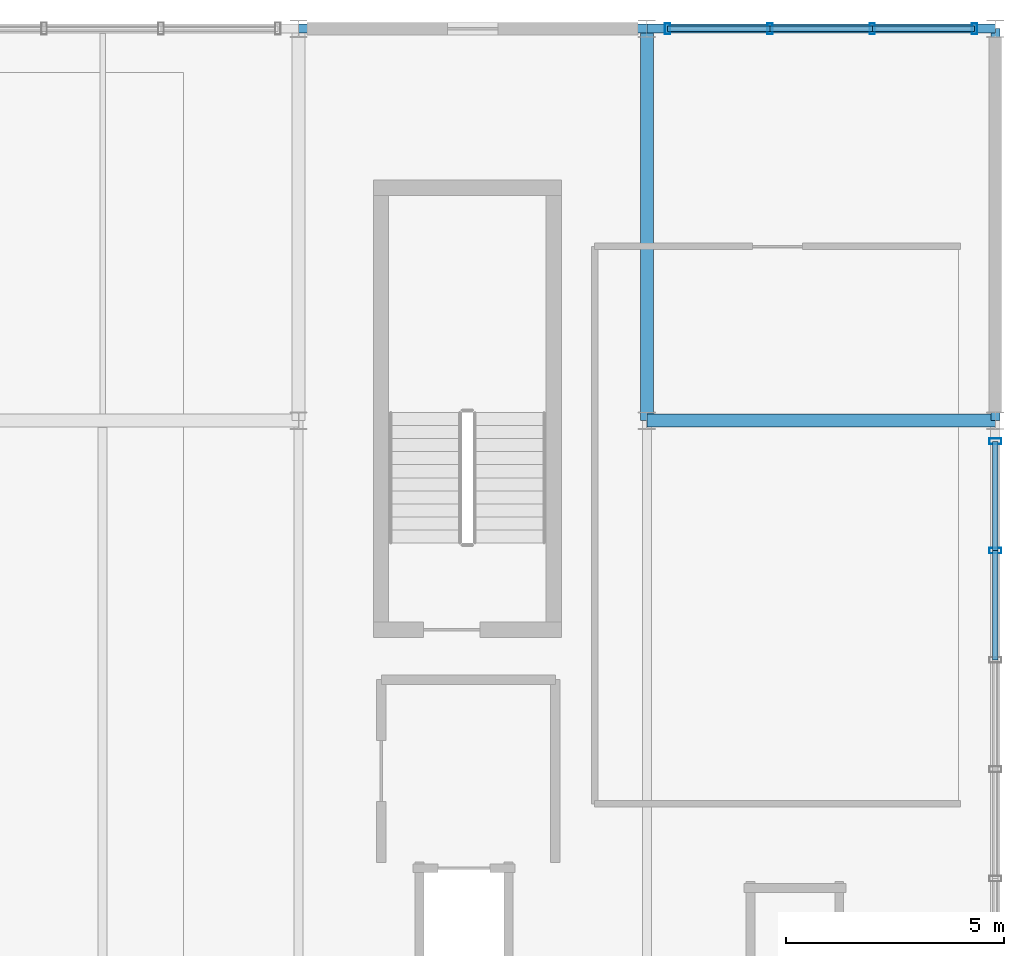
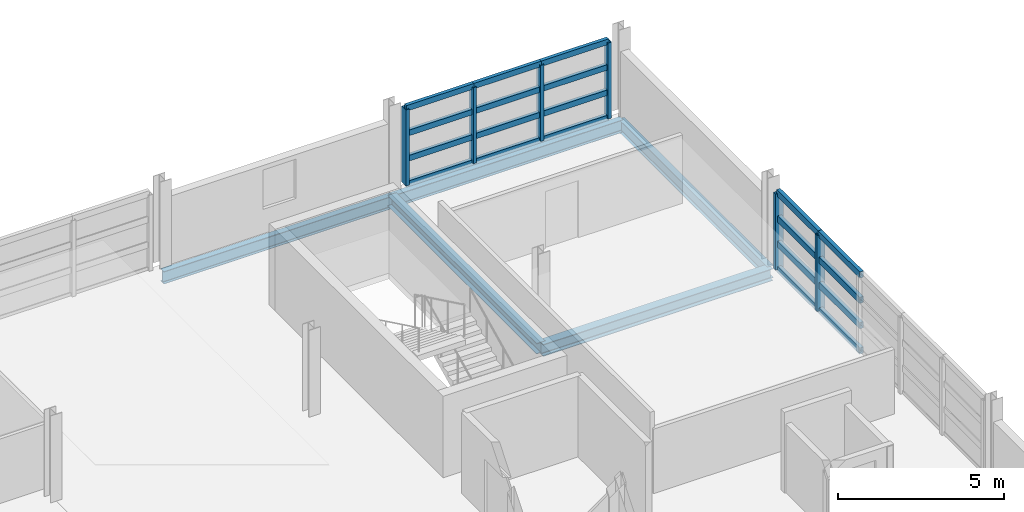
# One storey, part 55 of 86: 26 members, 5 beams, 2 elements without a shape of their own.
"""IFC4 building model written with IfcOpenShell, lengths in metres."""

from ifc_helpers import new_model, si_unit, direction, frame, origin, origin_2d, place, context, subcontext, project, spatial, hollow_rectangle, i_section, extrude, material, material_profile, profile_set, type_object, element, aggregate, save


model = new_model("IFC4")

# Units and contexts
model_context = context("Model", 3, precision=1e-05, world=origin(), true_north=direction((0.0, 1.0)))
body_context = subcontext(model_context, "Body", "Model", "MODEL_VIEW")
ifc_project = project(units=[si_unit("LENGTHUNIT", "METRE"), si_unit("AREAUNIT", "SQUARE_METRE"), si_unit("VOLUMEUNIT", "CUBIC_METRE"), si_unit("PLANEANGLEUNIT", "RADIAN"), si_unit("MASSUNIT", "GRAM", prefix="KILO")], contexts=[model_context])

# Site, building, storey
site_placement = place(None, origin())
site = spatial("IfcSite", under=ifc_project, at=site_placement, CompositionType="ELEMENT")
building_placement = place(site_placement, origin())
building = spatial("IfcBuilding", under=site, at=building_placement, Name="Chuanluo Vaults Station", CompositionType="ELEMENT")
storey_placement = place(building_placement, frame((0.0, 0.0, 14.39990234375)))
storey = spatial("IfcBuildingStorey", under=building, at=storey_placement, Name="L03", CompositionType="ELEMENT", Elevation=14.39990234375)

# Beams
ifc_material_1 = material(Name="Steel Q355C", Category="steel")
ifc_material_profile_1 = material_profile(ifc_material_1, i_section(OverallWidth=0.300048828125, OverallDepth=0.389892578125, WebThickness=0.010009765625, FlangeThickness=0.01611328125, FilletRadius=0.02001953125, at=origin_2d()))
ifc_profile_set_1 = profile_set([ifc_material_profile_1], Name="Steel Q355C")
beam_type_1 = type_object("IfcBeamType", Name="BM-GRD-400", PredefinedType="BEAM", material=ifc_profile_set_1)
beam_1_placement = place(storey_placement, frame((180.0, 117.0, -0.414794921875), z_axis=(0.0, 1.0, 0.0), x_axis=(-1.0, 0.0, 0.0)))
element("IfcBeam", 1, at=beam_1_placement, inside=storey, type_object=beam_type_1, Name="Floor girder BM:GY:L03:0833", PredefinedType="BEAM", context=body_context, shape_type="SweptSolid", body=[
    extrude(i_section(OverallWidth=0.300048828125, OverallDepth=0.389892578125, WebThickness=0.010009765625, FlangeThickness=0.01611328125, FilletRadius=0.02001953125, at=origin_2d()), origin(), (0.0, 0.0, 1.0), 9.0),
])
ifc_material_2 = material(Name="Steel Q355C", Category="steel")
ifc_material_profile_2 = material_profile(ifc_material_2, i_section(OverallWidth=0.300048828125, OverallDepth=0.43994140625, WebThickness=0.010986328125, FlangeThickness=0.01806640625, FilletRadius=0.02001953125, at=origin_2d()))
ifc_profile_set_2 = profile_set([ifc_material_profile_2], Name="Steel Q355C")
beam_type_2 = type_object("IfcBeamType", Name="BM-GRD-450", PredefinedType="USERDEFINED", material=ifc_profile_set_2)
beam_2_placement = place(storey_placement, frame((180.0, 117.0, -0.43994140625), z_axis=(1.0, 0.0, 0.0), x_axis=(0.0, 1.0, 0.0)))
element("IfcBeam", 2, at=beam_2_placement, inside=storey, type_object=beam_type_2, Name="Floor girder BM:GX:L03:0767", ObjectType="GIRDER", PredefinedType="USERDEFINED", context=body_context, shape_type="SweptSolid", body=[
    extrude(i_section(OverallWidth=0.300048828125, OverallDepth=0.43994140625, WebThickness=0.010986328125, FlangeThickness=0.01806640625, FilletRadius=0.02001953125, at=origin_2d()), origin(), (0.0, 0.0, 1.0), 8.0),
])
ifc_material_3 = material(Name="Steel Q355C", Category="steel")
ifc_material_profile_3 = material_profile(ifc_material_3, i_section(OverallWidth=0.205078125, OverallDepth=0.4599609375, WebThickness=0.009033203125, FlangeThickness=0.013916015625, FilletRadius=0.01611328125, at=origin_2d()))
ifc_profile_set_3 = profile_set([ifc_material_profile_3], Name="Steel Q355C")
beam_type_3 = type_object("IfcBeamType", Name="BM-SPN-450", PredefinedType="SPANDREL", material=ifc_profile_set_3)
for number, where, z_axis, x_axis, name in (
    (3, (172.0, 126.0, -0.449951171875), (1.0, 0.0, 0.0), (0.0, 1.0, 0.0), "Floor girder BM:GX:L03:0774"),
    (4, (180.0, 126.0, -0.449951171875), (1.0, 0.0, 0.0), (0.0, 1.0, 0.0), "Floor girder BM:GX:L03:0775"),
):
    element("IfcBeam", number, at=place(storey_placement, frame(where, z_axis=z_axis, x_axis=x_axis)), inside=storey, type_object=beam_type_3, Name=name, PredefinedType="SPANDREL", context=body_context, shape_type="SweptSolid", body=[
        extrude(i_section(OverallWidth=0.205078125, OverallDepth=0.4599609375, WebThickness=0.009033203125, FlangeThickness=0.013916015625, FilletRadius=0.01611328125, at=origin_2d()), origin(), (0.0, 0.0, 1.0), 8.0),
    ])
beam_3_placement = place(storey_placement, frame((188.0, 117.0, -0.449951171875), z_axis=(0.0, 1.0, 0.0), x_axis=(-1.0, 0.0, 0.0)))
element("IfcBeam", 5, at=beam_3_placement, inside=storey, type_object=beam_type_3, Name="Floor girder BM:GY:L03:0839", PredefinedType="SPANDREL", context=body_context, shape_type="SweptSolid", body=[
    extrude(i_section(OverallWidth=0.205078125, OverallDepth=0.4599609375, WebThickness=0.009033203125, FlangeThickness=0.013916015625, FilletRadius=0.01611328125, at=origin_2d()), origin(), (0.0, 0.0, 1.0), 9.0),
])

# Curtain wall, members
ifc_material_4 = material(Name="Anodised aluminium 6063-T6", Category="aluminium")
curtain_wall_type_1 = type_object("IfcCurtainWallType", Name="CW-SYS-07", PredefinedType="NOTDEFINED", material=ifc_material_4)
curtain_wall_1_placement = place(storey_placement, origin())
curtain_wall_1 = element("IfcCurtainWall", 6, at=curtain_wall_1_placement, inside=storey, type_object=curtain_wall_type_1, Name="Operations L03 facade CW", PredefinedType="NOTDEFINED")
ifc_material_5 = material(Name="Anodised aluminium 6063-T6", Category="aluminium")
ifc_material_profile_4 = material_profile(ifc_material_5, hollow_rectangle(XDim=0.1201171875, YDim=0.25, WallThickness=0.006103515625, at=origin_2d()))
ifc_profile_set_4 = profile_set([ifc_material_profile_4], Name="Anodised aluminium 6063-T6")
member_type_1 = type_object("IfcMemberType", Name="CWM-160", PredefinedType="MULLION", material=ifc_profile_set_4)
member_1_placement = place(storey_placement, frame((180.47509765625, 126.0, 0.0), z_axis=(0.0, 0.0, 1.0), x_axis=(1.0, 0.0, 0.0)))
member_1 = element("IfcMember", 7, at=member_1_placement, type_object=member_type_1, Name="Operations L03 facade CW mullion 1", PredefinedType="MULLION", context=body_context, shape_type="SweptSolid", body=[
    extrude(hollow_rectangle(XDim=0.1201171875, YDim=0.25, WallThickness=0.006103515625, at=origin_2d()), origin(), (0.0, 0.0, 1.0), 2.800048828125),
])
member_2_placement = place(storey_placement, frame((182.824951171875, 126.0, 0.0), z_axis=(0.0, 0.0, 1.0), x_axis=(1.0, 0.0, 0.0)))
member_2 = element("IfcMember", 8, at=member_2_placement, type_object=member_type_1, Name="Operations L03 facade CW mullion 2", PredefinedType="MULLION", context=body_context, shape_type="SweptSolid", body=[
    extrude(hollow_rectangle(XDim=0.1201171875, YDim=0.25, WallThickness=0.006103515625, at=origin_2d()), origin(), (0.0, 0.0, 1.0), 2.800048828125),
])
member_3_placement = place(storey_placement, frame((185.175048828125, 126.0, 0.0), z_axis=(0.0, 0.0, 1.0), x_axis=(1.0, 0.0, 0.0)))
member_3 = element("IfcMember", 9, at=member_3_placement, type_object=member_type_1, Name="Operations L03 facade CW mullion 3", PredefinedType="MULLION", context=body_context, shape_type="SweptSolid", body=[
    extrude(hollow_rectangle(XDim=0.1201171875, YDim=0.25, WallThickness=0.006103515625, at=origin_2d()), origin(), (0.0, 0.0, 1.0), 2.800048828125),
])
member_4_placement = place(storey_placement, frame((187.52490234375, 126.0, 0.0), z_axis=(0.0, 0.0, 1.0), x_axis=(1.0, 0.0, 0.0)))
member_4 = element("IfcMember", 10, at=member_4_placement, type_object=member_type_1, Name="Operations L03 facade CW mullion 4", PredefinedType="MULLION", context=body_context, shape_type="SweptSolid", body=[
    extrude(hollow_rectangle(XDim=0.1201171875, YDim=0.25, WallThickness=0.006103515625, at=origin_2d()), origin(), (0.0, 0.0, 1.0), 2.800048828125),
])

ifc_material_6 = material(Name="Anodised aluminium 6063-T6", Category="aluminium")
curtain_wall_type_2 = type_object("IfcCurtainWallType", Name="CW-SYS-10", PredefinedType="NOTDEFINED", material=ifc_material_6)
curtain_wall_2_placement = place(storey_placement, origin())
curtain_wall_2 = element("IfcCurtainWall", 11, at=curtain_wall_2_placement, inside=storey, type_object=curtain_wall_type_2, Name="Operations L03 facade CW", PredefinedType="NOTDEFINED")
ifc_material_7 = material(Name="Anodised aluminium 6063-T6", Category="aluminium")
ifc_material_profile_5 = material_profile(ifc_material_7, hollow_rectangle(XDim=0.1298828125, YDim=0.280029296875, WallThickness=0.007080078125, at=origin_2d()))
ifc_profile_set_5 = profile_set([ifc_material_profile_5], Name="Anodised aluminium 6063-T6")
member_type_2 = type_object("IfcMemberType", Name="CWM-180", PredefinedType="MULLION", material=ifc_profile_set_5)
member_5_placement = place(storey_placement, frame((188.0, 116.52490234375, 0.0), z_axis=(0.0, 0.0, 1.0), x_axis=(0.0, -1.0, 0.0)))
member_5 = element("IfcMember", 12, at=member_5_placement, type_object=member_type_2, Name="Operations L03 facade CW mullion 1", PredefinedType="MULLION", context=body_context, shape_type="SweptSolid", body=[
    extrude(hollow_rectangle(XDim=0.1298828125, YDim=0.280029296875, WallThickness=0.007080078125, at=origin_2d()), origin(), (0.0, 0.0, 1.0), 2.800048828125),
])
member_6_placement = place(storey_placement, frame((188.0, 114.014892578125, 0.0), z_axis=(0.0, 0.0, 1.0), x_axis=(0.0, -1.0, 0.0)))
member_6 = element("IfcMember", 13, at=member_6_placement, type_object=member_type_2, Name="Operations L03 facade CW mullion 2", PredefinedType="MULLION", context=body_context, shape_type="SweptSolid", body=[
    extrude(hollow_rectangle(XDim=0.1298828125, YDim=0.280029296875, WallThickness=0.007080078125, at=origin_2d()), origin(), (0.0, 0.0, 1.0), 2.800048828125),
])

# Member
ifc_material_8 = material(Name="Anodised aluminium 6063-T6", Category="aluminium")
ifc_material_profile_6 = material_profile(ifc_material_8, hollow_rectangle(XDim=0.1201171875, YDim=0.205078125, WallThickness=0.006103515625, at=origin_2d()))
ifc_profile_set_6 = profile_set([ifc_material_profile_6], Name="Anodised aluminium 6063-T6")
member_type_3 = type_object("IfcMemberType", Name="CWT-130", PredefinedType="USERDEFINED", material=ifc_profile_set_6)
member_7_placement = place(storey_placement, frame((180.47509765625, 126.0, 0.0), z_axis=(1.0, 0.0, 0.0), x_axis=(0.0, 1.0, 0.0)))
member_7 = element("IfcMember", 14, at=member_7_placement, type_object=member_type_3, Name="Operations L03 facade CW transom 1.1", ObjectType="TRANSOM", PredefinedType="USERDEFINED", context=body_context, shape_type="SweptSolid", body=[
    extrude(hollow_rectangle(XDim=0.1201171875, YDim=0.205078125, WallThickness=0.006103515625, at=origin_2d()), origin(), (0.0, 0.0, 1.0), 2.349853515625),
])

member_8_placement = place(storey_placement, frame((180.47509765625, 126.0, 0.933349609375), z_axis=(1.0, 0.0, 0.0), x_axis=(0.0, 1.0, 0.0)))
member_8 = element("IfcMember", 15, at=member_8_placement, type_object=member_type_3, Name="Operations L03 facade CW transom 1.2", ObjectType="TRANSOM", PredefinedType="USERDEFINED", context=body_context, shape_type="SweptSolid", body=[
    extrude(hollow_rectangle(XDim=0.1201171875, YDim=0.205078125, WallThickness=0.006103515625, at=origin_2d()), origin(), (0.0, 0.0, 1.0), 2.349853515625),
])

member_9_placement = place(storey_placement, frame((180.47509765625, 126.0, 1.86669921875), z_axis=(1.0, 0.0, 0.0), x_axis=(0.0, 1.0, 0.0)))
member_9 = element("IfcMember", 16, at=member_9_placement, type_object=member_type_3, Name="Operations L03 facade CW transom 1.3", ObjectType="TRANSOM", PredefinedType="USERDEFINED", context=body_context, shape_type="SweptSolid", body=[
    extrude(hollow_rectangle(XDim=0.1201171875, YDim=0.205078125, WallThickness=0.006103515625, at=origin_2d()), origin(), (0.0, 0.0, 1.0), 2.349853515625),
])

member_10_placement = place(storey_placement, frame((180.47509765625, 126.0, 2.800048828125), z_axis=(1.0, 0.0, 0.0), x_axis=(0.0, 1.0, 0.0)))
member_10 = element("IfcMember", 17, at=member_10_placement, type_object=member_type_3, Name="Operations L03 facade CW transom 1.4", ObjectType="TRANSOM", PredefinedType="USERDEFINED", context=body_context, shape_type="SweptSolid", body=[
    extrude(hollow_rectangle(XDim=0.1201171875, YDim=0.205078125, WallThickness=0.006103515625, at=origin_2d()), origin(), (0.0, 0.0, 1.0), 2.349853515625),
])

member_11_placement = place(storey_placement, frame((182.824951171875, 126.0, 0.0), z_axis=(1.0, 0.0, 0.0), x_axis=(0.0, 1.0, 0.0)))
member_11 = element("IfcMember", 18, at=member_11_placement, type_object=member_type_3, Name="Operations L03 facade CW transom 2.1", ObjectType="TRANSOM", PredefinedType="USERDEFINED", context=body_context, shape_type="SweptSolid", body=[
    extrude(hollow_rectangle(XDim=0.1201171875, YDim=0.205078125, WallThickness=0.006103515625, at=origin_2d()), origin(), (0.0, 0.0, 1.0), 2.35009765625),
])

member_12_placement = place(storey_placement, frame((182.824951171875, 126.0, 0.933349609375), z_axis=(1.0, 0.0, 0.0), x_axis=(0.0, 1.0, 0.0)))
member_12 = element("IfcMember", 19, at=member_12_placement, type_object=member_type_3, Name="Operations L03 facade CW transom 2.2", ObjectType="TRANSOM", PredefinedType="USERDEFINED", context=body_context, shape_type="SweptSolid", body=[
    extrude(hollow_rectangle(XDim=0.1201171875, YDim=0.205078125, WallThickness=0.006103515625, at=origin_2d()), origin(), (0.0, 0.0, 1.0), 2.35009765625),
])

member_13_placement = place(storey_placement, frame((182.824951171875, 126.0, 1.86669921875), z_axis=(1.0, 0.0, 0.0), x_axis=(0.0, 1.0, 0.0)))
member_13 = element("IfcMember", 20, at=member_13_placement, type_object=member_type_3, Name="Operations L03 facade CW transom 2.3", ObjectType="TRANSOM", PredefinedType="USERDEFINED", context=body_context, shape_type="SweptSolid", body=[
    extrude(hollow_rectangle(XDim=0.1201171875, YDim=0.205078125, WallThickness=0.006103515625, at=origin_2d()), origin(), (0.0, 0.0, 1.0), 2.35009765625),
])

member_14_placement = place(storey_placement, frame((182.824951171875, 126.0, 2.800048828125), z_axis=(1.0, 0.0, 0.0), x_axis=(0.0, 1.0, 0.0)))
member_14 = element("IfcMember", 21, at=member_14_placement, type_object=member_type_3, Name="Operations L03 facade CW transom 2.4", ObjectType="TRANSOM", PredefinedType="USERDEFINED", context=body_context, shape_type="SweptSolid", body=[
    extrude(hollow_rectangle(XDim=0.1201171875, YDim=0.205078125, WallThickness=0.006103515625, at=origin_2d()), origin(), (0.0, 0.0, 1.0), 2.35009765625),
])

member_15_placement = place(storey_placement, frame((185.175048828125, 126.0, 0.0), z_axis=(1.0, 0.0, 0.0), x_axis=(0.0, 1.0, 0.0)))
member_15 = element("IfcMember", 22, at=member_15_placement, type_object=member_type_3, Name="Operations L03 facade CW transom 3.1", ObjectType="TRANSOM", PredefinedType="USERDEFINED", context=body_context, shape_type="SweptSolid", body=[
    extrude(hollow_rectangle(XDim=0.1201171875, YDim=0.205078125, WallThickness=0.006103515625, at=origin_2d()), origin(), (0.0, 0.0, 1.0), 2.349853515625),
])

member_16_placement = place(storey_placement, frame((185.175048828125, 126.0, 0.933349609375), z_axis=(1.0, 0.0, 0.0), x_axis=(0.0, 1.0, 0.0)))
member_16 = element("IfcMember", 23, at=member_16_placement, type_object=member_type_3, Name="Operations L03 facade CW transom 3.2", ObjectType="TRANSOM", PredefinedType="USERDEFINED", context=body_context, shape_type="SweptSolid", body=[
    extrude(hollow_rectangle(XDim=0.1201171875, YDim=0.205078125, WallThickness=0.006103515625, at=origin_2d()), origin(), (0.0, 0.0, 1.0), 2.349853515625),
])

member_17_placement = place(storey_placement, frame((185.175048828125, 126.0, 1.86669921875), z_axis=(1.0, 0.0, 0.0), x_axis=(0.0, 1.0, 0.0)))
member_17 = element("IfcMember", 24, at=member_17_placement, type_object=member_type_3, Name="Operations L03 facade CW transom 3.3", ObjectType="TRANSOM", PredefinedType="USERDEFINED", context=body_context, shape_type="SweptSolid", body=[
    extrude(hollow_rectangle(XDim=0.1201171875, YDim=0.205078125, WallThickness=0.006103515625, at=origin_2d()), origin(), (0.0, 0.0, 1.0), 2.349853515625),
])

member_18_placement = place(storey_placement, frame((185.175048828125, 126.0, 2.800048828125), z_axis=(1.0, 0.0, 0.0), x_axis=(0.0, 1.0, 0.0)))
member_18 = element("IfcMember", 25, at=member_18_placement, type_object=member_type_3, Name="Operations L03 facade CW transom 3.4", ObjectType="TRANSOM", PredefinedType="USERDEFINED", context=body_context, shape_type="SweptSolid", body=[
    extrude(hollow_rectangle(XDim=0.1201171875, YDim=0.205078125, WallThickness=0.006103515625, at=origin_2d()), origin(), (0.0, 0.0, 1.0), 2.349853515625),
])

aggregate(curtain_wall_1, [member_1, member_2, member_3, member_4, member_7, member_8, member_9, member_10, member_11, member_12, member_13, member_14, member_15, member_16, member_17, member_18])

ifc_material_9 = material(Name="Anodised aluminium 6063-T6", Category="aluminium")
ifc_material_profile_7 = material_profile(ifc_material_9, hollow_rectangle(XDim=0.1298828125, YDim=0.22998046875, WallThickness=0.006103515625, at=origin_2d()))
ifc_profile_set_7 = profile_set([ifc_material_profile_7], Name="Anodised aluminium 6063-T6")
member_type_4 = type_object("IfcMemberType", Name="CWT-150", PredefinedType="USERDEFINED", material=ifc_profile_set_7)
member_19_placement = place(storey_placement, frame((188.0, 116.52490234375, 0.0), z_axis=(0.0, -1.0, 0.0), x_axis=(1.0, 0.0, 0.0)))
member_19 = element("IfcMember", 26, at=member_19_placement, type_object=member_type_4, Name="Operations L03 facade CW transom 1.1", ObjectType="TRANSOM", PredefinedType="USERDEFINED", context=body_context, shape_type="SweptSolid", body=[
    extrude(hollow_rectangle(XDim=0.1298828125, YDim=0.22998046875, WallThickness=0.006103515625, at=origin_2d()), origin(), (0.0, 0.0, 1.0), 2.510009765625),
])

member_20_placement = place(storey_placement, frame((188.0, 116.52490234375, 0.933349609375), z_axis=(0.0, -1.0, 0.0), x_axis=(1.0, 0.0, 0.0)))
member_20 = element("IfcMember", 27, at=member_20_placement, type_object=member_type_4, Name="Operations L03 facade CW transom 1.2", ObjectType="TRANSOM", PredefinedType="USERDEFINED", context=body_context, shape_type="SweptSolid", body=[
    extrude(hollow_rectangle(XDim=0.1298828125, YDim=0.22998046875, WallThickness=0.006103515625, at=origin_2d()), origin(), (0.0, 0.0, 1.0), 2.510009765625),
])

member_21_placement = place(storey_placement, frame((188.0, 116.52490234375, 1.86669921875), z_axis=(0.0, -1.0, 0.0), x_axis=(1.0, 0.0, 0.0)))
member_21 = element("IfcMember", 28, at=member_21_placement, type_object=member_type_4, Name="Operations L03 facade CW transom 1.3", ObjectType="TRANSOM", PredefinedType="USERDEFINED", context=body_context, shape_type="SweptSolid", body=[
    extrude(hollow_rectangle(XDim=0.1298828125, YDim=0.22998046875, WallThickness=0.006103515625, at=origin_2d()), origin(), (0.0, 0.0, 1.0), 2.510009765625),
])

member_22_placement = place(storey_placement, frame((188.0, 116.52490234375, 2.800048828125), z_axis=(0.0, -1.0, 0.0), x_axis=(1.0, 0.0, 0.0)))
member_22 = element("IfcMember", 29, at=member_22_placement, type_object=member_type_4, Name="Operations L03 facade CW transom 1.4", ObjectType="TRANSOM", PredefinedType="USERDEFINED", context=body_context, shape_type="SweptSolid", body=[
    extrude(hollow_rectangle(XDim=0.1298828125, YDim=0.22998046875, WallThickness=0.006103515625, at=origin_2d()), origin(), (0.0, 0.0, 1.0), 2.510009765625),
])

member_23_placement = place(storey_placement, frame((188.0, 114.014892578125, 0.0), z_axis=(0.0, -1.0, 0.0), x_axis=(1.0, 0.0, 0.0)))
member_23 = element("IfcMember", 30, at=member_23_placement, type_object=member_type_4, Name="Operations L03 facade CW transom 2.1", ObjectType="TRANSOM", PredefinedType="USERDEFINED", context=body_context, shape_type="SweptSolid", body=[
    extrude(hollow_rectangle(XDim=0.1298828125, YDim=0.22998046875, WallThickness=0.006103515625, at=origin_2d()), origin(), (0.0, 0.0, 1.0), 2.510009765625),
])

member_24_placement = place(storey_placement, frame((188.0, 114.014892578125, 0.933349609375), z_axis=(0.0, -1.0, 0.0), x_axis=(1.0, 0.0, 0.0)))
member_24 = element("IfcMember", 31, at=member_24_placement, type_object=member_type_4, Name="Operations L03 facade CW transom 2.2", ObjectType="TRANSOM", PredefinedType="USERDEFINED", context=body_context, shape_type="SweptSolid", body=[
    extrude(hollow_rectangle(XDim=0.1298828125, YDim=0.22998046875, WallThickness=0.006103515625, at=origin_2d()), origin(), (0.0, 0.0, 1.0), 2.510009765625),
])

member_25_placement = place(storey_placement, frame((188.0, 114.014892578125, 1.86669921875), z_axis=(0.0, -1.0, 0.0), x_axis=(1.0, 0.0, 0.0)))
member_25 = element("IfcMember", 32, at=member_25_placement, type_object=member_type_4, Name="Operations L03 facade CW transom 2.3", ObjectType="TRANSOM", PredefinedType="USERDEFINED", context=body_context, shape_type="SweptSolid", body=[
    extrude(hollow_rectangle(XDim=0.1298828125, YDim=0.22998046875, WallThickness=0.006103515625, at=origin_2d()), origin(), (0.0, 0.0, 1.0), 2.510009765625),
])

member_26_placement = place(storey_placement, frame((188.0, 114.014892578125, 2.800048828125), z_axis=(0.0, -1.0, 0.0), x_axis=(1.0, 0.0, 0.0)))
member_26 = element("IfcMember", 33, at=member_26_placement, type_object=member_type_4, Name="Operations L03 facade CW transom 2.4", ObjectType="TRANSOM", PredefinedType="USERDEFINED", context=body_context, shape_type="SweptSolid", body=[
    extrude(hollow_rectangle(XDim=0.1298828125, YDim=0.22998046875, WallThickness=0.006103515625, at=origin_2d()), origin(), (0.0, 0.0, 1.0), 2.510009765625),
])

aggregate(curtain_wall_2, [member_5, member_6, member_19, member_20, member_21, member_22, member_23, member_24, member_25, member_26])

save(model, "model.ifc")
